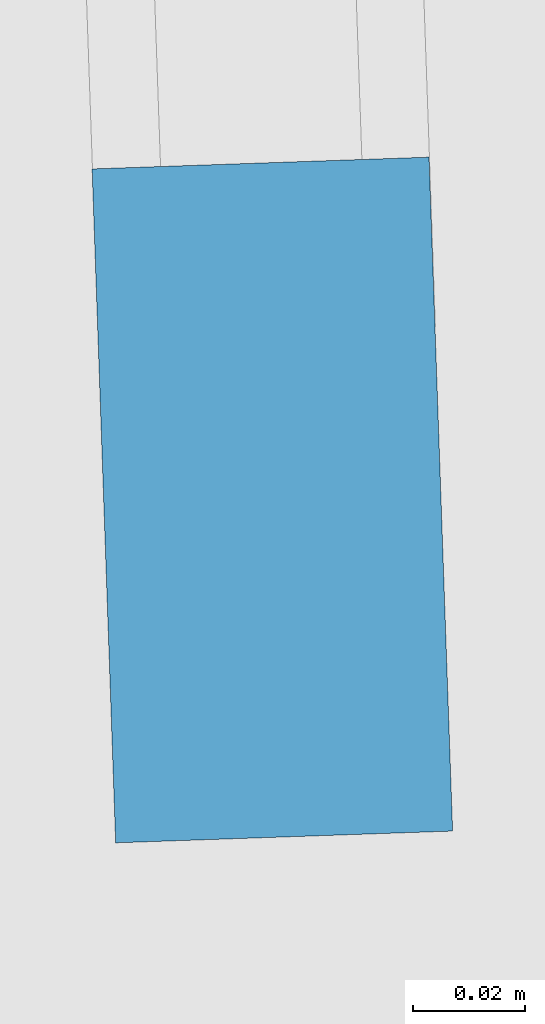
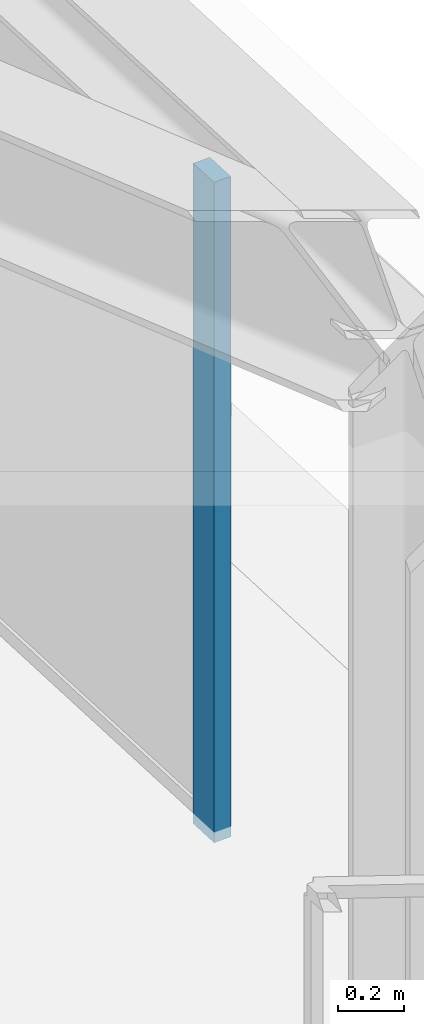
# One storey, part 6 of 13: 1 member, 1 element without a shape of its own.
"""IFC4 building model written with IfcOpenShell, lengths in metres."""

from ifc_helpers import new_model, si_unit, direction, frame, origin, origin_2d, place, context, subcontext, project, spatial, rectangle, extrude, material, layer, layer_set, material_profile, profile_set, type_object, element, aggregate, save


model = new_model("IFC4")

# Units and contexts
model_context = context("Model", 3, precision=1e-05, world=origin(), true_north=direction((0.0, 1.0)))
body_context = subcontext(model_context, "Body", "Model", "MODEL_VIEW")
ifc_project = project(units=[si_unit("LENGTHUNIT", "METRE"), si_unit("AREAUNIT", "SQUARE_METRE"), si_unit("VOLUMEUNIT", "CUBIC_METRE"), si_unit("PLANEANGLEUNIT", "RADIAN"), si_unit("MASSUNIT", "GRAM", prefix="KILO")], contexts=[model_context])

# Site, building, storey
site_placement = place(None, origin())
site = spatial("IfcSite", under=ifc_project, at=site_placement, CompositionType="ELEMENT")
building_placement = place(site_placement, origin())
building = spatial("IfcBuilding", under=site, at=building_placement, Name="Rocaltana Carrier Exchange", CompositionType="ELEMENT")
storey_placement = place(building_placement, frame((0.0, 0.0, 208.800048828125)))
storey = spatial("IfcBuildingStorey", under=building, at=storey_placement, Name="L66", CompositionType="ELEMENT", Elevation=208.800048828125)

# Curtain wall, member
ifc_material_1 = material(Name="Aluminium 6063-T6", Category="aluminium")
ifc_layer = layer(ifc_material_1, 0.1201171875)
ifc_layer_set = layer_set([ifc_layer], Name="Aluminium 6063-T6")
curtain_wall_type = type_object("IfcCurtainWallType", Name="High-Altitude Thermal Curtain Wall CW-05", PredefinedType="NOTDEFINED", material=ifc_layer_set)
curtain_wall_placement = place(storey_placement, origin())
curtain_wall = element("IfcCurtainWall", 1, at=curtain_wall_placement, inside=storey, type_object=curtain_wall_type, Name="L66 CW-05 Run CW-L66-F1S1", PredefinedType="NOTDEFINED")
ifc_material_2 = material(Name="Aluminium 6063-T6", Category="aluminium")
ifc_material_profile = material_profile(ifc_material_2, rectangle(XDim=0.06005859375, YDim=0.1201171875, at=origin_2d()), Name="AL-60X120")
ifc_profile_set = profile_set([ifc_material_profile], Name="Aluminium 6063-T6")
member_type = type_object("IfcMemberType", Name="CW-05 Mullion AL-60X120", PredefinedType="MULLION", material=ifc_profile_set)
member_placement = place(storey_placement, frame((11.421630859375, -15.480712890625, 0.0), z_axis=(0.0, 0.0, 1.0), x_axis=(-0.999390315991, -0.034914127567, 0.0)))
member = element("IfcMember", 2, at=member_placement, type_object=member_type, Name="CW-05 mullion 1", PredefinedType="MULLION", context=body_context, shape_type="SweptSolid", body=[
    extrude(rectangle(XDim=0.06005859375, YDim=0.1201171875, at=origin_2d()), origin(), (0.0, 0.0, 1.0), 2.447998046875),
])
aggregate(curtain_wall, [member])

save(model, "model.ifc")
